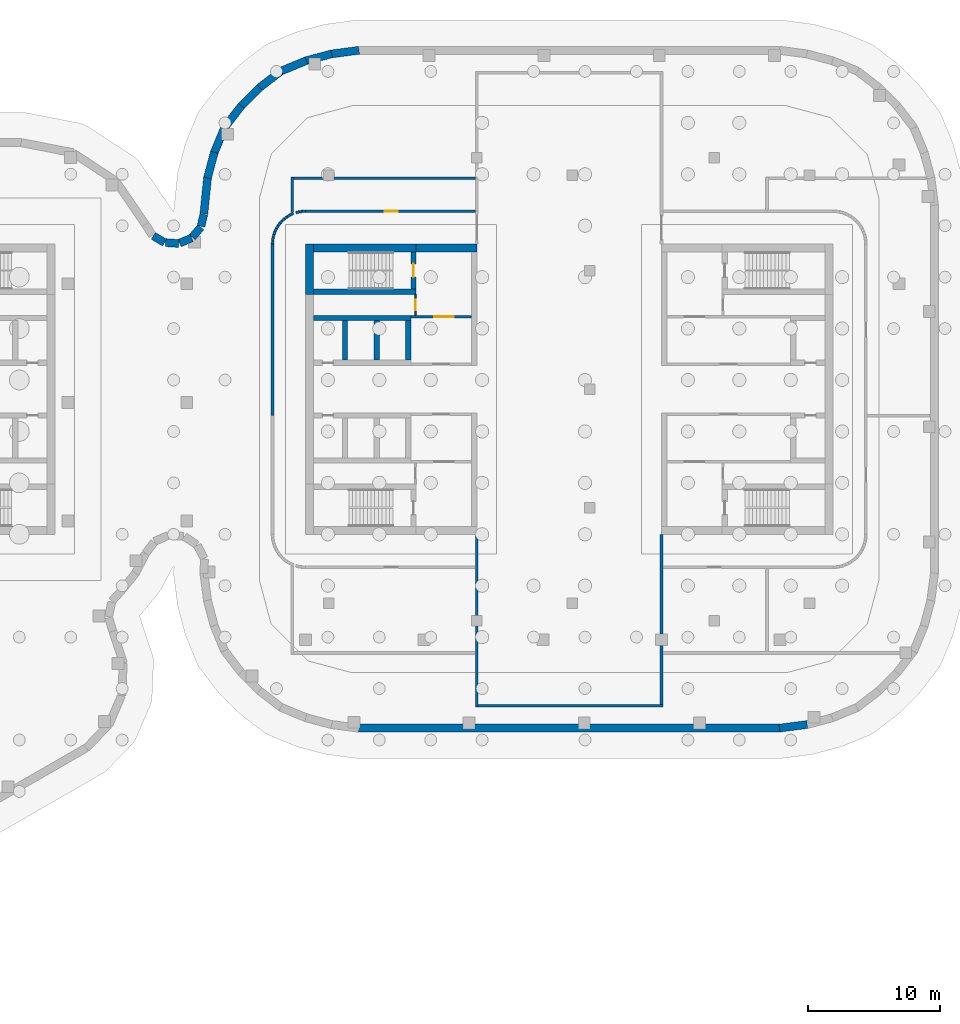
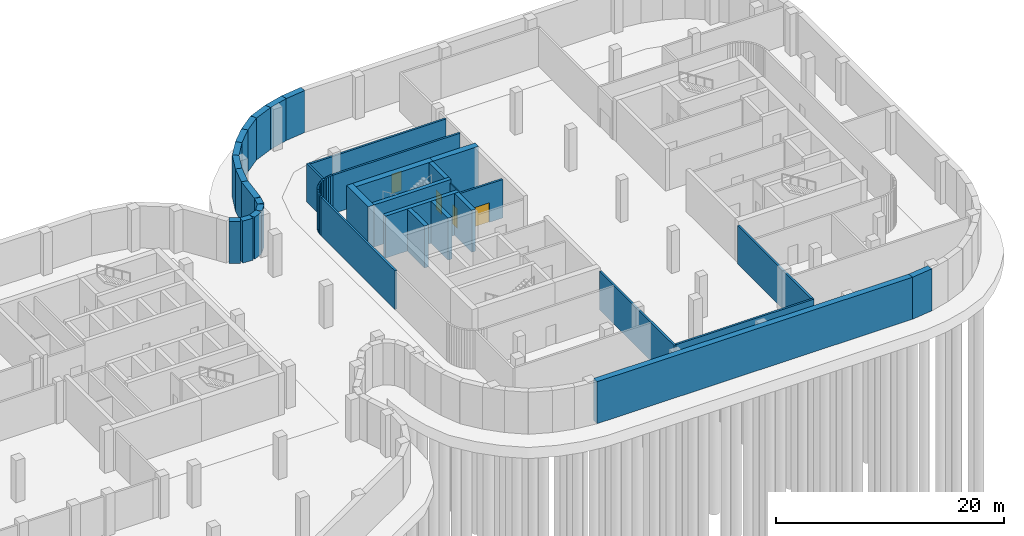
# One storey, part 12 of 18: 49 walls, 4 doors, 4 openings.
"""IFC4 building model written with IfcOpenShell, lengths in metres."""

from ifc_helpers import new_model, si_unit, direction, frame, frame_2d, origin, place, context, subcontext, project, spatial, rectangle, extrude, material, layer, layer_set, type_object, element, fill, save


model = new_model("IFC4")

# Units and contexts
model_context = context("Model", 3, precision=1e-05, world=origin(), true_north=direction((0.0, 1.0)))
body_context = subcontext(model_context, "Body", "Model", "MODEL_VIEW")
ifc_project = project(units=[si_unit("LENGTHUNIT", "METRE"), si_unit("AREAUNIT", "SQUARE_METRE"), si_unit("VOLUMEUNIT", "CUBIC_METRE"), si_unit("PLANEANGLEUNIT", "RADIAN"), si_unit("MASSUNIT", "GRAM", prefix="KILO")], contexts=[model_context])

# Site, building, storey
site_placement = place(None, origin())
site = spatial("IfcSite", under=ifc_project, at=site_placement, CompositionType="ELEMENT")
building_placement = place(site_placement, origin())
building = spatial("IfcBuilding", under=site, at=building_placement, Name="Skarvind Civic Tower", CompositionType="ELEMENT")
storey_placement = place(building_placement, frame((0.0, 0.0, -9.0)))
storey = spatial("IfcBuildingStorey", under=building, at=storey_placement, Name="B2", CompositionType="ELEMENT", Elevation=-9.0)

# Walls
ifc_material_1 = material(Name="Concrete C40", Category="concrete")
ifc_layer_1 = layer(ifc_material_1, 0.60009765625)
ifc_layer_set_1 = layer_set([ifc_layer_1], Name="Basement retaining wall 600 C40")
wall_type_1 = type_object("IfcWallType", Name="Basement retaining wall 600 C40", PredefinedType="SHEAR", material=ifc_layer_set_1)
wall_1_placement = place(storey_placement, frame((115.46142578125, 139.62744140625, 0.0), z_axis=(0.0, 0.0, 1.0), x_axis=(0.861915314468, -0.507052256365, 0.0)))
element("IfcWall", 1, at=wall_1_placement, inside=storey, type_object=wall_type_1, Name="Basement retaining wall B2 29", PredefinedType="SHEAR", context=body_context, shape_type="SweptSolid", body=[
    extrude(rectangle(XDim=0.99609375, YDim=0.60009765625, at=frame_2d((0.498046875, 0.0))), origin(), (0.0, 0.0, 1.0), 4.5),
])
wall_2_placement = place(storey_placement, frame((116.392578125, 139.1171875, 0.0), z_axis=(0.0, 0.0, 1.0), x_axis=(0.997919716778, -0.064468898431, 0.0)))
element("IfcWall", 2, at=wall_2_placement, inside=storey, type_object=wall_type_1, Name="Basement retaining wall B2 30", PredefinedType="SHEAR", context=body_context, shape_type="SweptSolid", body=[
    extrude(rectangle(XDim=0.995849609375, YDim=0.60009765625, at=frame_2d((0.498046875, 0.0))), origin(), (0.0, 0.0, 1.0), 4.5),
])
for number, where, z_axis, x_axis, name in (
    (3, (117.45361328125, 139.080810546875, 0.0), (0.0, 0.0, 1.0), (0.920017434001, 0.391877431265, 0.0), "Basement retaining wall B2 31"),
    (4, (118.41748046875, 139.526123046875, 0.0), (0.0, 0.0, 1.0), (0.644897785416, 0.764268831215, 0.0), "Basement retaining wall B2 32"),
):
    element("IfcWall", number, at=place(storey_placement, frame(where, z_axis=z_axis, x_axis=x_axis)), inside=storey, type_object=wall_type_1, Name=name, PredefinedType="SHEAR", context=body_context, shape_type="SweptSolid", body=[
        extrude(rectangle(XDim=0.99609375, YDim=0.60009765625, at=frame_2d((0.498046875, 0.0))), origin(), (0.0, 0.0, 1.0), 4.5),
    ])
wall_3_placement = place(storey_placement, frame((119.0771484375, 140.35791015625, 0.0), z_axis=(0.0, 0.0, 1.0), x_axis=(0.231727447271, 0.972780751342, 0.0)))
element("IfcWall", 5, at=wall_3_placement, inside=storey, type_object=wall_type_1, Name="Basement retaining wall B2 33", PredefinedType="SHEAR", context=body_context, shape_type="SweptSolid", body=[
    extrude(rectangle(XDim=0.926025390625, YDim=0.60009765625, at=frame_2d((0.462890625, 0.0))), origin(), (0.0, 0.0, 1.0), 4.5),
])
wall_4_placement = place(storey_placement, frame((119.298583984375, 141.29833984375, 0.0), z_axis=(0.0, 0.0, 1.0), x_axis=(0.100130390068, 0.994974323782, 0.0)))
element("IfcWall", 6, at=wall_4_placement, inside=storey, type_object=wall_type_1, Name="Basement retaining wall B2 34", PredefinedType="SHEAR", context=body_context, shape_type="SweptSolid", body=[
    extrude(rectangle(XDim=2.777099609375, YDim=0.60009765625, at=frame_2d((1.388671875, 0.0))), origin(), (0.0, 0.0, 1.0), 4.5),
])
wall_5_placement = place(storey_placement, frame((119.570556640625, 144.023681640625, 0.0), z_axis=(0.0, 0.0, 1.0), x_axis=(0.25888565912, 0.965907974655, 0.0)))
element("IfcWall", 7, at=wall_5_placement, inside=storey, type_object=wall_type_1, Name="Basement retaining wall B2 35", PredefinedType="SHEAR", context=body_context, shape_type="SweptSolid", body=[
    extrude(rectangle(XDim=2.012451171875, YDim=0.60009765625, at=frame_2d((1.00634765625, 0.0))), origin(), (0.0, 0.0, 1.0), 4.5),
])
wall_6_placement = place(storey_placement, frame((120.078857421875, 145.9306640625, 0.0), z_axis=(0.0, 0.0, 1.0), x_axis=(0.382375593358, 0.924006983526, 0.0)))
element("IfcWall", 8, at=wall_6_placement, inside=storey, type_object=wall_type_1, Name="Basement retaining wall B2 36", PredefinedType="SHEAR", context=body_context, shape_type="SweptSolid", body=[
    extrude(rectangle(XDim=2.114013671875, YDim=0.60009765625, at=frame_2d((1.05712890625, 0.0))), origin(), (0.0, 0.0, 1.0), 4.5),
])
wall_7_placement = place(storey_placement, frame((120.890625, 147.87158203125, 0.0), z_axis=(0.0, 0.0, 1.0), x_axis=(0.609058260448, 0.793125485267, 0.0)))
element("IfcWall", 9, at=wall_7_placement, inside=storey, type_object=wall_type_1, Name="Basement retaining wall B2 37", PredefinedType="SHEAR", context=body_context, shape_type="SweptSolid", body=[
    extrude(rectangle(XDim=2.0439453125, YDim=0.60009765625, at=frame_2d((1.02197265625, 0.0))), origin(), (0.0, 0.0, 1.0), 4.5),
])
wall_8_placement = place(storey_placement, frame((122.109619140625, 149.463134765625, 0.0), z_axis=(0.0, 0.0, 1.0), x_axis=(0.707106781187, 0.707106781187, 0.0)))
element("IfcWall", 10, at=wall_8_placement, inside=storey, type_object=wall_type_1, Name="Basement retaining wall B2 38", PredefinedType="SHEAR", context=body_context, shape_type="SweptSolid", body=[
    extrude(rectangle(XDim=2.018310546875, YDim=0.60009765625, at=frame_2d((1.00927734375, 0.0))), origin(), (0.0, 0.0, 1.0), 4.5),
])
wall_9_placement = place(storey_placement, frame((123.50732421875, 150.864501953125, 0.0), z_axis=(0.0, 0.0, 1.0), x_axis=(0.79313029079, 0.609052002567, 0.0)))
element("IfcWall", 11, at=wall_9_placement, inside=storey, type_object=wall_type_1, Name="Basement retaining wall B2 39", PredefinedType="SHEAR", context=body_context, shape_type="SweptSolid", body=[
    extrude(rectangle(XDim=2.114013671875, YDim=0.60009765625, at=frame_2d((1.05712890625, 0.0))), origin(), (0.0, 0.0, 1.0), 4.5),
])
wall_10_placement = place(storey_placement, frame((125.1806640625, 152.1396484375, 0.0), z_axis=(0.0, 0.0, 1.0), x_axis=(0.924021197839, 0.382341242798, 0.0)))
element("IfcWall", 12, at=wall_10_placement, inside=storey, type_object=wall_type_1, Name="Basement retaining wall B2 40", PredefinedType="SHEAR", context=body_context, shape_type="SweptSolid", body=[
    extrude(rectangle(XDim=2.0439453125, YDim=0.60009765625, at=frame_2d((1.02197265625, 0.0))), origin(), (0.0, 0.0, 1.0), 4.5),
])
wall_11_placement = place(storey_placement, frame((127.032470703125, 152.908447265625, 0.0), z_axis=(0.0, 0.0, 1.0), x_axis=(0.965929732323, 0.258804467146, 0.0)))
element("IfcWall", 13, at=wall_11_placement, inside=storey, type_object=wall_type_1, Name="Basement retaining wall B2 41", PredefinedType="SHEAR", context=body_context, shape_type="SweptSolid", body=[
    extrude(rectangle(XDim=2.0224609375, YDim=0.60009765625, at=frame_2d((1.01123046875, 0.0))), origin(), (0.0, 0.0, 1.0), 4.5),
])
for number, where, z_axis, x_axis, name in (
    (14, (128.947509765625, 153.42431640625, 0.0), (0.0, 0.0, 1.0), (0.991440646942, 0.130558200013, 0.0), "Basement retaining wall B2 42"),
    (15, (165.052490234375, 102.57568359375, 0.0), (0.0, 0.0, 1.0), (-0.991440646942, -0.130558200013, 0.0), "Basement retaining wall B2 62"),
):
    element("IfcWall", number, at=place(storey_placement, frame(where, z_axis=z_axis, x_axis=x_axis)), inside=storey, type_object=wall_type_1, Name=name, PredefinedType="SHEAR", context=body_context, shape_type="SweptSolid", body=[
        extrude(rectangle(XDim=2.1318359375, YDim=0.60009765625, at=frame_2d((1.06591796875, 0.0))), origin(), (0.0, 0.0, 1.0), 4.5),
    ])
wall_12_placement = place(storey_placement, frame((162.978271484375, 102.300048828125, 0.0), z_axis=(0.0, 0.0, 1.0), x_axis=(-1.0, 0.0, 0.0)))
element("IfcWall", 16, at=wall_12_placement, inside=storey, type_object=wall_type_1, Name="Basement retaining wall B2 63", PredefinedType="SHEAR", context=body_context, shape_type="SweptSolid", body=[
    extrude(rectangle(XDim=31.95654296875, YDim=0.60009765625, at=frame_2d((15.978271484375, 0.0))), origin(), (0.0, 0.0, 1.0), 4.5),
])

# Wall, opening, door
ifc_material_2 = material(Name="Fire-rated masonry partition", Category="masonry")
ifc_layer_2 = layer(ifc_material_2, 0.199951171875)
ifc_layer_set_2 = layer_set([ifc_layer_2], Name="Core enclosure wall 200")
wall_type_2 = type_object("IfcWallType", Name="Core enclosure wall 200", PredefinedType="PARTITIONING", material=ifc_layer_set_2)
wall_13_placement = place(storey_placement, frame((135.0, 133.5, 0.0), z_axis=(0.0, 0.0, 1.0), x_axis=(1.0, 0.0, 0.0)))
wall_13 = element("IfcWall", 17, at=wall_13_placement, inside=storey, type_object=wall_type_2, Name="Core wall CA", PredefinedType="PARTITIONING", context=body_context, shape_type="SweptSolid", body=[
    extrude(rectangle(XDim=4.60009765625, YDim=0.199951171875, at=frame_2d((2.300048828125, 0.0))), origin(), (0.0, 0.0, 1.0), 4.125),
])
opening_1_placement = place(wall_13_placement, frame((1.75, 0.0, 0.0)))
opening_1 = element("IfcOpeningElement", 18, at=opening_1_placement, cuts=wall_13, Name="Opening D-B2-CA-04", PredefinedType="OPENING", context=body_context, shape_type="SweptSolid", body=[
    extrude(rectangle(XDim=1.5, YDim=2.10009765625, at=frame_2d((0.75, 1.050048828125))), frame((0.0, 0.10986328125, 0.0), z_axis=(0.0, -1.0, 0.0), x_axis=(1.0, 0.0, 0.0)), (0.0, 0.0, 1.0), 0.219970703125),
])
ifc_material_3 = material(Name="Fire-rated steel door", Category="steel")
door_type_1 = type_object("IfcDoorType", Name="Fire door 1500", OperationType="NOTDEFINED", PredefinedType="DOOR", material=ifc_material_3)
door_1_placement = place(opening_1_placement, origin())
door_1 = element("IfcDoor", 19, at=door_1_placement, inside=storey, type_object=door_type_1, Name="Fire door", OperationType="DOUBLE_DOOR_SINGLE_SWING", OverallHeight=2.10009765625, OverallWidth=1.5, PredefinedType="DOOR", context=body_context, shape_type="SweptSolid", body=[
    extrude(rectangle(XDim=1.5, YDim=2.10009765625, at=frame_2d((0.75, 1.050048828125))), frame((0.0, 0.02490234375, 0.0), z_axis=(0.0, -1.0, 0.0), x_axis=(1.0, 0.0, 0.0)), (0.0, 0.0, 1.0), 0.050048828125),
])
fill(opening_1, door_1)

# Wall
ifc_material_4 = material(Name="Concrete C80", Category="concrete")
ifc_layer_3 = layer(ifc_material_4, 0.39990234375)
ifc_layer_set_3 = layer_set([ifc_layer_3], Name="Core wall 400 C80")
wall_type_3 = type_object("IfcWallType", Name="Core wall 400 C80", PredefinedType="SHEAR", material=ifc_layer_set_3)
wall_14_placement = place(storey_placement, frame((127.60009765625, 135.39990234375, 0.0), z_axis=(0.0, 0.0, 1.0), x_axis=(1.0, 0.0, 0.0)))
element("IfcWall", 20, at=wall_14_placement, inside=storey, type_object=wall_type_3, Name="Core wall CA north stair inner B2", PredefinedType="SHEAR", context=body_context, shape_type="SweptSolid", body=[
    extrude(rectangle(XDim=7.7998046875, YDim=0.39990234375, at=frame_2d((3.89990234375, 0.0))), origin(), (0.0, 0.0, 1.0), 4.5),
])

# Wall, opening, door
wall_15_placement = place(storey_placement, frame((135.199951171875, 135.60009765625, 0.0), z_axis=(0.0, 0.0, 1.0), x_axis=(0.0, 1.0, 0.0)))
wall_15 = element("IfcWall", 21, at=wall_15_placement, inside=storey, type_object=wall_type_3, Name="Core wall CA north stair end B2", PredefinedType="SHEAR", context=body_context, shape_type="SweptSolid", body=[
    extrude(rectangle(XDim=2.7998046875, YDim=0.39990234375, at=frame_2d((1.39990234375, 0.0))), origin(), (0.0, 0.0, 1.0), 4.5),
])
opening_2_placement = place(wall_15_placement, frame((0.89990234375, 0.0, 0.0)))
opening_2 = element("IfcOpeningElement", 22, at=opening_2_placement, cuts=wall_15, Name="Opening D-B2-CA-05", PredefinedType="OPENING", context=body_context, shape_type="SweptSolid", body=[
    extrude(rectangle(XDim=1.0, YDim=2.10009765625, at=frame_2d((0.5, 1.050048828125))), frame((0.0, 0.2099609375, 0.0), z_axis=(0.0, -1.0, 0.0), x_axis=(1.0, 0.0, 0.0)), (0.0, 0.0, 1.0), 0.419921875),
])
door_type_2 = type_object("IfcDoorType", Name="Fire door 1000", OperationType="NOTDEFINED", PredefinedType="DOOR", material=ifc_material_3)
door_2_placement = place(opening_2_placement, origin())
door_2 = element("IfcDoor", 23, at=door_2_placement, inside=storey, type_object=door_type_2, Name="Fire door", OperationType="SINGLE_SWING_LEFT", OverallHeight=2.10009765625, OverallWidth=1.0, PredefinedType="DOOR", context=body_context, shape_type="SweptSolid", body=[
    extrude(rectangle(XDim=1.0, YDim=2.10009765625, at=frame_2d((0.5, 1.050048828125))), frame((0.0, 0.02490234375, 0.0), z_axis=(0.0, -1.0, 0.0), x_axis=(1.0, 0.0, 0.0)), (0.0, 0.0, 1.0), 0.050048828125),
])
fill(opening_2, door_2)

# Walls
wall_16_placement = place(storey_placement, frame((127.60009765625, 133.39990234375, 0.0), z_axis=(0.0, 0.0, 1.0), x_axis=(1.0, 0.0, 0.0)))
element("IfcWall", 24, at=wall_16_placement, inside=storey, type_object=wall_type_3, Name="Core wall CA north lift row back B2", PredefinedType="SHEAR", context=body_context, shape_type="SweptSolid", body=[
    extrude(rectangle(XDim=7.39990234375, YDim=0.39990234375, at=frame_2d((3.699951171875, 0.0))), origin(), (0.0, 0.0, 1.0), 4.5),
])
for number, where, z_axis, x_axis, name in (
    (25, (130.0, 130.199951171875, 0.0), (0.0, 0.0, 1.0), (0.0, 1.0, 0.0), "Core wall CA north lift row division 1 B2"),
    (26, (132.39990234375, 130.199951171875, 0.0), (0.0, 0.0, 1.0), (0.0, 1.0, 0.0), "Core wall CA north lift row division 2 B2"),
    (27, (134.800048828125, 130.199951171875, 0.0), (0.0, 0.0, 1.0), (0.0, 1.0, 0.0), "Core wall CA north lift row division 3 B2"),
):
    element("IfcWall", number, at=place(storey_placement, frame(where, z_axis=z_axis, x_axis=x_axis)), inside=storey, type_object=wall_type_3, Name=name, PredefinedType="SHEAR", context=body_context, shape_type="SweptSolid", body=[
        extrude(rectangle(XDim=3.0, YDim=0.39990234375, at=frame_2d((1.5, 0.0))), origin(), (0.0, 0.0, 1.0), 4.5),
    ])
ifc_layer_4 = layer(ifc_material_4, 0.60009765625)
ifc_layer_set_4 = layer_set([ifc_layer_4], Name="Core wall 600 C80")
wall_type_4 = type_object("IfcWallType", Name="Core wall 600 C80", PredefinedType="SHEAR", material=ifc_layer_set_4)
wall_17_placement = place(storey_placement, frame((127.300048828125, 135.199951171875, 0.0), z_axis=(0.0, 0.0, 1.0), x_axis=(0.0, 1.0, 0.0)))
element("IfcWall", 28, at=wall_17_placement, inside=storey, type_object=wall_type_4, Name="Core wall CA tip at the north stair B2", PredefinedType="SHEAR", context=body_context, shape_type="SweptSolid", body=[
    extrude(rectangle(XDim=3.800048828125, YDim=0.60009765625, at=frame_2d((1.89990234375, 0.0))), origin(), (0.0, 0.0, 1.0), 4.5),
])
wall_18_placement = place(storey_placement, frame((127.60009765625, 138.699951171875, 0.0), z_axis=(0.0, 0.0, 1.0), x_axis=(1.0, 0.0, 0.0)))
element("IfcWall", 29, at=wall_18_placement, inside=storey, type_object=wall_type_4, Name="Core wall CA north side at the stair B2", PredefinedType="SHEAR", context=body_context, shape_type="SweptSolid", body=[
    extrude(rectangle(XDim=7.7998046875, YDim=0.60009765625, at=frame_2d((3.89990234375, 0.0))), origin(), (0.0, 0.0, 1.0), 4.5),
])
wall_19_placement = place(storey_placement, frame((135.39990234375, 138.699951171875, 0.0), z_axis=(0.0, 0.0, 1.0), x_axis=(1.0, 0.0, 0.0)))
element("IfcWall", 30, at=wall_19_placement, inside=storey, type_object=wall_type_4, Name="Core wall CA north side B2", PredefinedType="SHEAR", context=body_context, shape_type="SweptSolid", body=[
    extrude(rectangle(XDim=4.60009765625, YDim=0.60009765625, at=frame_2d((2.300048828125, 0.0))), origin(), (0.0, 0.0, 1.0), 4.5),
])
ifc_material_5 = material(Name="Fire-rated blockwork wall, plastered", Category="masonry")
ifc_layer_5 = layer(ifc_material_5, 0.199951171875)
ifc_layer_set_5 = layer_set([ifc_layer_5], Name="FIRE WALL 200 EI 120")
wall_type_5 = type_object("IfcWallType", Name="FIRE WALL 200 EI 120", PredefinedType="PARTITIONING", material=ifc_layer_set_5)
wall_20_placement = place(storey_placement, frame((126.0, 141.40087890625, 0.0), z_axis=(0.0, 0.0, 1.0), x_axis=(0.0, 1.0, 0.0)))
element("IfcWall", 31, at=wall_20_placement, inside=storey, type_object=wall_type_5, Name="Basement partition B2 067", PredefinedType="PARTITIONING", context=body_context, shape_type="SweptSolid", body=[
    extrude(rectangle(XDim=2.69921875, YDim=0.199951171875, at=frame_2d((1.349609375, 0.0))), origin(), (0.0, 0.0, 1.0), 4.125),
])
wall_21_placement = place(storey_placement, frame((126.10009765625, 144.0, 0.0), z_axis=(0.0, 0.0, 1.0), x_axis=(1.0, 0.0, 0.0)))
element("IfcWall", 32, at=wall_21_placement, inside=storey, type_object=wall_type_5, Name="Basement partition B2 068", PredefinedType="PARTITIONING", context=body_context, shape_type="SweptSolid", body=[
    extrude(rectangle(XDim=13.7998046875, YDim=0.199951171875, at=frame_2d((6.89990234375, 0.0))), origin(), (0.0, 0.0, 1.0), 4.125),
])
wall_22_placement = place(storey_placement, frame((126.26904296875, 141.39111328125, 0.0), z_axis=(0.0, 0.0, 1.0), x_axis=(0.970366809683, 0.241636616978, 0.0)))
element("IfcWall", 33, at=wall_22_placement, inside=storey, type_object=wall_type_5, Name="Basement partition B2 072", PredefinedType="PARTITIONING", context=body_context, shape_type="SweptSolid", body=[
    extrude(rectangle(XDim=0.255615234375, YDim=0.199951171875, at=frame_2d((0.1279296875, 0.0))), origin(), (0.0, 0.0, 1.0), 4.125),
])
wall_23_placement = place(storey_placement, frame((126.507080078125, 141.450927734375, 0.0), z_axis=(0.0, 0.0, 1.0), x_axis=(0.988852180426, 0.148900521377, 0.0)))
element("IfcWall", 34, at=wall_23_placement, inside=storey, type_object=wall_type_5, Name="Basement partition B2 074", PredefinedType="PARTITIONING", context=body_context, shape_type="SweptSolid", body=[
    extrude(rectangle(XDim=0.255859375, YDim=0.199951171875, at=frame_2d((0.1279296875, 0.0))), origin(), (0.0, 0.0, 1.0), 4.125),
])
wall_24_placement = place(storey_placement, frame((126.75, 141.488037109375, 0.0), z_axis=(0.0, 0.0, 1.0), x_axis=(0.998874697667, 0.047427190102, 0.0)))
element("IfcWall", 35, at=wall_24_placement, inside=storey, type_object=wall_type_5, Name="Basement partition B2 076", PredefinedType="PARTITIONING", context=body_context, shape_type="SweptSolid", body=[
    extrude(rectangle(XDim=0.252197265625, YDim=0.199951171875, at=frame_2d((0.1259765625, 0.0))), origin(), (0.0, 0.0, 1.0), 4.125),
])

# Wall, opening, door
wall_25_placement = place(storey_placement, frame((126.998046875, 141.5, 0.0), z_axis=(0.0, 0.0, 1.0), x_axis=(1.0, 0.0, 0.0)))
wall_25 = element("IfcWall", 36, at=wall_25_placement, inside=storey, type_object=wall_type_5, Name="Basement partition B2 078", PredefinedType="PARTITIONING", context=body_context, shape_type="SweptSolid", body=[
    extrude(rectangle(XDim=12.90185546875, YDim=0.199951171875, at=frame_2d((6.450927734375, 0.0))), origin(), (0.0, 0.0, 1.0), 4.125),
])
opening_3_placement = place(wall_25_placement, frame((6.001953125, 0.0, 0.0)))
opening_3 = element("IfcOpeningElement", 37, at=opening_3_placement, cuts=wall_25, Name="Opening B2-D214", PredefinedType="OPENING", context=body_context, shape_type="SweptSolid", body=[
    extrude(rectangle(XDim=1.0, YDim=2.10009765625, at=frame_2d((0.5, 1.050048828125))), frame((0.0, 0.10986328125, 0.0), z_axis=(0.0, -1.0, 0.0), x_axis=(1.0, 0.0, 0.0)), (0.0, 0.0, 1.0), 0.219970703125),
])
ifc_material_6 = material(Name="Painted steel fire door leaf", Category="steel")
door_type_3 = type_object("IfcDoorType", Name="FIRE DOOR 1000X2100 STEEL", OperationType="NOTDEFINED", PredefinedType="DOOR", material=ifc_material_6)
door_3_placement = place(opening_3_placement, origin())
door_3 = element("IfcDoor", 38, at=door_3_placement, inside=storey, type_object=door_type_3, Name="FIRE DOOR", OperationType="SINGLE_SWING_RIGHT", OverallHeight=2.10009765625, OverallWidth=1.0, PredefinedType="DOOR", context=body_context, shape_type="SweptSolid", body=[
    extrude(rectangle(XDim=1.0, YDim=2.10009765625, at=frame_2d((0.5, 1.050048828125))), frame((0.0, 0.02490234375, 0.0), z_axis=(0.0, -1.0, 0.0), x_axis=(1.0, 0.0, 0.0)), (0.0, 0.0, 1.0), 0.050048828125),
])
fill(opening_3, door_3)

# Walls
ifc_layer_6 = layer(ifc_material_5, 0.199951171875)
ifc_layer_set_6 = layer_set([ifc_layer_6], Name="FIRE WALL 200 EI 60")
wall_type_6 = type_object("IfcWallType", Name="FIRE WALL 200 EI 60", PredefinedType="PARTITIONING", material=ifc_layer_set_6)
wall_26_placement = place(storey_placement, frame((124.5, 126.0, 0.0), z_axis=(0.0, 0.0, 1.0), x_axis=(0.0, 1.0, 0.0)))
element("IfcWall", 39, at=wall_26_placement, inside=storey, type_object=wall_type_6, Name="Basement partition B2 041", PredefinedType="PARTITIONING", context=body_context, shape_type="SweptSolid", body=[
    extrude(rectangle(XDim=13.001953125, YDim=0.199951171875, at=frame_2d((6.5009765625, 0.0))), origin(), (0.0, 0.0, 1.0), 4.125),
])
wall_27_placement = place(storey_placement, frame((124.5, 138.998046875, 0.0), z_axis=(0.0, 0.0, 1.0), x_axis=(0.047427190102, 0.998874697667, 0.0)))
element("IfcWall", 40, at=wall_27_placement, inside=storey, type_object=wall_type_6, Name="Basement partition B2 042", PredefinedType="PARTITIONING", context=body_context, shape_type="SweptSolid", body=[
    extrude(rectangle(XDim=0.252197265625, YDim=0.199951171875, at=frame_2d((0.1259765625, 0.0))), origin(), (0.0, 0.0, 1.0), 4.125),
])
wall_28_placement = place(storey_placement, frame((124.510986328125, 139.239990234375, 0.0), z_axis=(0.0, 0.0, 1.0), x_axis=(0.148900521377, 0.988852180426, 0.0)))
element("IfcWall", 41, at=wall_28_placement, inside=storey, type_object=wall_type_6, Name="Basement partition B2 044", PredefinedType="PARTITIONING", context=body_context, shape_type="SweptSolid", body=[
    extrude(rectangle(XDim=0.255859375, YDim=0.199951171875, at=frame_2d((0.1279296875, 0.0))), origin(), (0.0, 0.0, 1.0), 4.125),
])
wall_29_placement = place(storey_placement, frame((124.547119140625, 139.48291015625, 0.0), z_axis=(0.0, 0.0, 1.0), x_axis=(0.241636616978, 0.970366809683, 0.0)))
element("IfcWall", 42, at=wall_29_placement, inside=storey, type_object=wall_type_6, Name="Basement partition B2 046", PredefinedType="PARTITIONING", context=body_context, shape_type="SweptSolid", body=[
    extrude(rectangle(XDim=0.255615234375, YDim=0.199951171875, at=frame_2d((0.1279296875, 0.0))), origin(), (0.0, 0.0, 1.0), 4.125),
])
wall_30_placement = place(storey_placement, frame((124.60595703125, 139.721923828125, 0.0), z_axis=(0.0, 0.0, 1.0), x_axis=(0.337125007331, 0.941459892631, 0.0)))
element("IfcWall", 43, at=wall_30_placement, inside=storey, type_object=wall_type_6, Name="Basement partition B2 048", PredefinedType="PARTITIONING", context=body_context, shape_type="SweptSolid", body=[
    extrude(rectangle(XDim=0.2548828125, YDim=0.199951171875, at=frame_2d((0.12744140625, 0.0))), origin(), (0.0, 0.0, 1.0), 4.125),
])
wall_31_placement = place(storey_placement, frame((124.68798828125, 139.951904296875, 0.0), z_axis=(0.0, 0.0, 1.0), x_axis=(0.4287046499, 0.903444698448, 0.0)))
element("IfcWall", 44, at=wall_31_placement, inside=storey, type_object=wall_type_6, Name="Basement partition B2 050", PredefinedType="PARTITIONING", context=body_context, shape_type="SweptSolid", body=[
    extrude(rectangle(XDim=0.254638671875, YDim=0.199951171875, at=frame_2d((0.12744140625, 0.0))), origin(), (0.0, 0.0, 1.0), 4.125),
])
wall_32_placement = place(storey_placement, frame((124.79296875, 140.174072265625, 0.0), z_axis=(0.0, 0.0, 1.0), x_axis=(0.513651517527, 0.857998903579, 0.0)))
element("IfcWall", 45, at=wall_32_placement, inside=storey, type_object=wall_type_6, Name="Basement partition B2 052", PredefinedType="PARTITIONING", context=body_context, shape_type="SweptSolid", body=[
    extrude(rectangle(XDim=0.255126953125, YDim=0.199951171875, at=frame_2d((0.12744140625, 0.0))), origin(), (0.0, 0.0, 1.0), 4.125),
])
wall_33_placement = place(storey_placement, frame((124.91796875, 140.385009765625, 0.0), z_axis=(0.0, 0.0, 1.0), x_axis=(0.595707657713, 0.803201336243, 0.0)))
element("IfcWall", 46, at=wall_33_placement, inside=storey, type_object=wall_type_6, Name="Basement partition B2 054", PredefinedType="PARTITIONING", context=body_context, shape_type="SweptSolid", body=[
    extrude(rectangle(XDim=0.25537109375, YDim=0.199951171875, at=frame_2d((0.127685546875, 0.0))), origin(), (0.0, 0.0, 1.0), 4.125),
])
for number, where, z_axis, x_axis, name in (
    (47, (125.06396484375, 140.58203125, 0.0), (0.0, 0.0, 1.0), (0.66938668015, 0.742914175687, 0.0), "Basement partition B2 056"),
    (48, (125.22802734375, 140.764892578125, 0.0), (0.0, 0.0, 1.0), (0.742914175687, 0.66938668015, 0.0), "Basement partition B2 058"),
):
    element("IfcWall", number, at=place(storey_placement, frame(where, z_axis=z_axis, x_axis=x_axis)), inside=storey, type_object=wall_type_6, Name=name, PredefinedType="PARTITIONING", context=body_context, shape_type="SweptSolid", body=[
        extrude(rectangle(XDim=0.255615234375, YDim=0.199951171875, at=frame_2d((0.1279296875, 0.0))), origin(), (0.0, 0.0, 1.0), 4.125),
    ])
wall_34_placement = place(storey_placement, frame((125.409912109375, 140.929931640625, 0.0), z_axis=(0.0, 0.0, 1.0), x_axis=(0.803201336243, 0.595707657713, 0.0)))
element("IfcWall", 49, at=wall_34_placement, inside=storey, type_object=wall_type_6, Name="Basement partition B2 060", PredefinedType="PARTITIONING", context=body_context, shape_type="SweptSolid", body=[
    extrude(rectangle(XDim=0.25537109375, YDim=0.199951171875, at=frame_2d((0.127685546875, 0.0))), origin(), (0.0, 0.0, 1.0), 4.125),
])
wall_35_placement = place(storey_placement, frame((125.60693359375, 141.075927734375, 0.0), z_axis=(0.0, 0.0, 1.0), x_axis=(0.857998903579, 0.513651517527, 0.0)))
element("IfcWall", 50, at=wall_35_placement, inside=storey, type_object=wall_type_6, Name="Basement partition B2 062", PredefinedType="PARTITIONING", context=body_context, shape_type="SweptSolid", body=[
    extrude(rectangle(XDim=0.255126953125, YDim=0.199951171875, at=frame_2d((0.12744140625, 0.0))), origin(), (0.0, 0.0, 1.0), 4.125),
])
wall_36_placement = place(storey_placement, frame((125.818115234375, 141.202880859375, 0.0), z_axis=(0.0, 0.0, 1.0), x_axis=(0.902065692634, 0.431598755991, 0.0)))
element("IfcWall", 51, at=wall_36_placement, inside=storey, type_object=wall_type_6, Name="Basement partition B2 064", PredefinedType="PARTITIONING", context=body_context, shape_type="SweptSolid", body=[
    extrude(rectangle(XDim=0.301513671875, YDim=0.199951171875, at=frame_2d((0.15087890625, 0.0))), origin(), (0.0, 0.0, 1.0), 4.125),
])
wall_37_placement = place(storey_placement, frame((140.0, 103.89990234375, 0.0), z_axis=(0.0, 0.0, 1.0), x_axis=(0.0, 1.0, 0.0)))
element("IfcWall", 52, at=wall_37_placement, inside=storey, type_object=wall_type_6, Name="Basement partition B2 079", PredefinedType="PARTITIONING", context=body_context, shape_type="SweptSolid", body=[
    extrude(rectangle(XDim=13.10009765625, YDim=0.199951171875, at=frame_2d((6.550048828125, 0.0))), origin(), (0.0, 0.0, 1.0), 4.125),
])
wall_38_placement = place(storey_placement, frame((140.10009765625, 104.0, 0.0), z_axis=(0.0, 0.0, 1.0), x_axis=(1.0, 0.0, 0.0)))
element("IfcWall", 53, at=wall_38_placement, inside=storey, type_object=wall_type_6, Name="Basement partition B2 080", PredefinedType="PARTITIONING", context=body_context, shape_type="SweptSolid", body=[
    extrude(rectangle(XDim=14.0, YDim=0.199951171875, at=frame_2d((7.0, 0.0))), origin(), (0.0, 0.0, 1.0), 4.125),
])
wall_39_placement = place(storey_placement, frame((154.0, 104.10009765625, 0.0), z_axis=(0.0, 0.0, 1.0), x_axis=(0.0, 1.0, 0.0)))
element("IfcWall", 54, at=wall_39_placement, inside=storey, type_object=wall_type_6, Name="Basement partition B2 086", PredefinedType="PARTITIONING", context=body_context, shape_type="SweptSolid", body=[
    extrude(rectangle(XDim=12.89990234375, YDim=0.199951171875, at=frame_2d((6.449951171875, 0.0))), origin(), (0.0, 0.0, 1.0), 4.125),
])

# Wall, opening, door
ifc_layer_7 = layer(ifc_material_2, 0.125)
ifc_layer_set_7 = layer_set([ifc_layer_7], Name="Riser wall 125")
wall_type_7 = type_object("IfcWallType", Name="Riser wall 125", PredefinedType="PARTITIONING", material=ifc_layer_set_7)
wall_40_placement = place(storey_placement, frame((135.33740234375, 135.199951171875, 0.0), z_axis=(0.0, 0.0, 1.0), x_axis=(0.0, -1.0, 0.0)))
wall_40 = element("IfcWall", 55, at=wall_40_placement, inside=storey, type_object=wall_type_7, Name="Core wall CA", PredefinedType="PARTITIONING", context=body_context, shape_type="SweptSolid", body=[
    extrude(rectangle(XDim=1.599853515625, YDim=0.125, at=frame_2d((0.7998046875, 0.0))), origin(), (0.0, 0.0, 1.0), 4.125),
])
opening_4_placement = place(wall_40_placement, frame((0.39990234375, 0.0, 0.0)))
opening_4 = element("IfcOpeningElement", 56, at=opening_4_placement, cuts=wall_40, Name="Opening D-B2-CA-06", PredefinedType="OPENING", context=body_context, shape_type="SweptSolid", body=[
    extrude(rectangle(XDim=0.800048828125, YDim=2.10009765625, at=frame_2d((0.39990234375, 1.050048828125))), frame((0.0, 0.072509765625, 0.0), z_axis=(0.0, -1.0, 0.0), x_axis=(1.0, 0.0, 0.0)), (0.0, 0.0, 1.0), 0.14501953125),
])
door_type_4 = type_object("IfcDoorType", Name="Core riser door 800", OperationType="NOTDEFINED", PredefinedType="DOOR", material=ifc_material_3)
door_4_placement = place(opening_4_placement, origin())
door_4 = element("IfcDoor", 57, at=door_4_placement, inside=storey, type_object=door_type_4, Name="Riser door", OperationType="SINGLE_SWING_RIGHT", OverallHeight=2.10009765625, OverallWidth=0.800048828125, PredefinedType="DOOR", context=body_context, shape_type="SweptSolid", body=[
    extrude(rectangle(XDim=0.800048828125, YDim=2.10009765625, at=frame_2d((0.39990234375, 1.050048828125))), frame((0.0, 0.02490234375, 0.0), z_axis=(0.0, -1.0, 0.0), x_axis=(1.0, 0.0, 0.0)), (0.0, 0.0, 1.0), 0.050048828125),
])
fill(opening_4, door_4)

save(model, "model.ifc")
